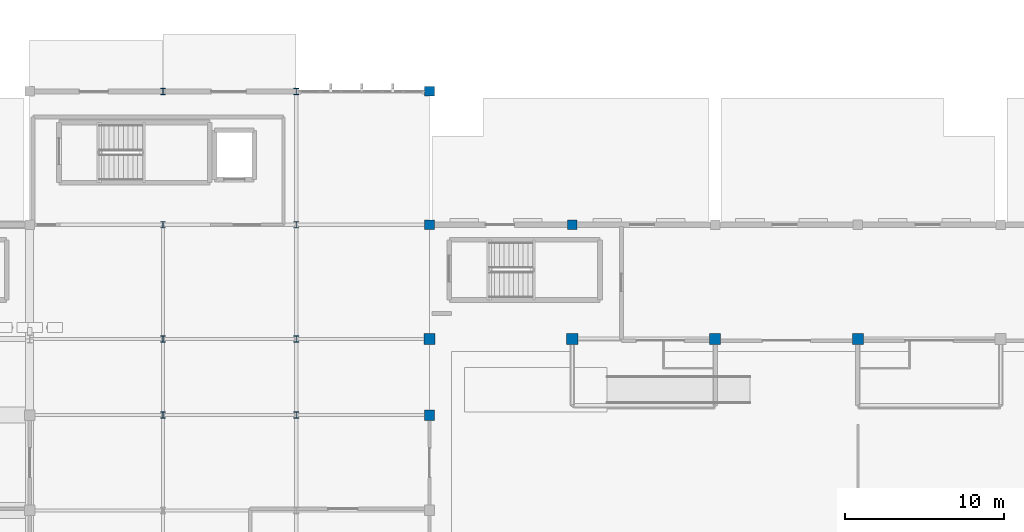
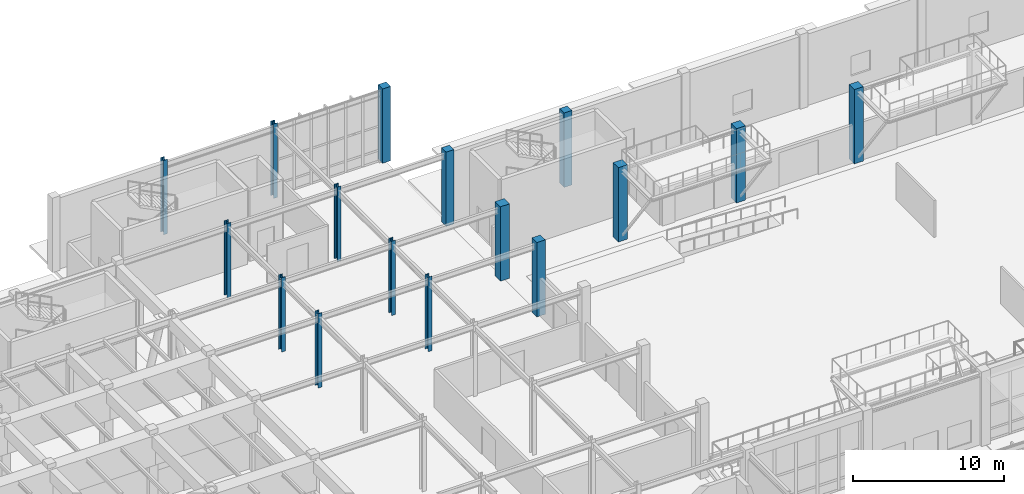
# One storey, part 11 of 110: 16 columns.
"""IFC4 building model written with IfcOpenShell, lengths in metres."""

from ifc_helpers import new_model, si_unit, direction, frame, origin, origin_2d, place, context, subcontext, project, spatial, rectangle, i_section, extrude, material, material_profile, profile_set, type_object, element, save


model = new_model("IFC4")

# Units and contexts
model_context = context("Model", 3, precision=1e-05, world=origin(), true_north=direction((0.0, 1.0)))
body_context = subcontext(model_context, "Body", "Model", "MODEL_VIEW")
ifc_project = project(units=[si_unit("LENGTHUNIT", "METRE"), si_unit("AREAUNIT", "SQUARE_METRE"), si_unit("VOLUMEUNIT", "CUBIC_METRE"), si_unit("PLANEANGLEUNIT", "RADIAN"), si_unit("MASSUNIT", "GRAM", prefix="KILO")], contexts=[model_context])

# Site, building, storey
site_placement = place(None, origin())
site = spatial("IfcSite", under=ifc_project, at=site_placement, CompositionType="ELEMENT")
building_placement = place(site_placement, origin())
building = spatial("IfcBuilding", under=site, at=building_placement, Name="Tizgana Railside Sports Hall", CompositionType="ELEMENT")
storey_placement = place(building_placement, origin())
storey = spatial("IfcBuildingStorey", under=building, at=storey_placement, Name="L00", CompositionType="ELEMENT", Elevation=0.0)

# Columns
ifc_material_1 = material(Name="Concrete C40/50", Category="concrete")
ifc_material_profile_1 = material_profile(ifc_material_1, rectangle(XDim=0.60009765625, YDim=0.60009765625, at=origin_2d()), Name="RC 600x600")
ifc_profile_set_1 = profile_set([ifc_material_profile_1], Name="Concrete C40/50")
column_type_1 = type_object("IfcColumnType", Name="Concrete Column RC 600x600", PredefinedType="COLUMN", material=ifc_profile_set_1)
for number, where, z_axis, x_axis, name in (
    (1, (79.800048828125, 88.800048828125, 0.0), (0.0, 0.0, 1.0), (1.0, 0.0, 0.0), "L00 COL-0248"),
    (2, (79.800048828125, 80.39990234375, 0.0), (0.0, 0.0, 1.0), (1.0, 0.0, 0.0), "L00 COL-0275"),
    (3, (88.800048828125, 80.39990234375, 0.0), (0.0, 0.0, 1.0), (1.0, 0.0, 0.0), "L00 COL-0296"),
):
    element("IfcColumn", number, at=place(storey_placement, frame(where, z_axis=z_axis, x_axis=x_axis)), inside=storey, type_object=column_type_1, Name=name, PredefinedType="COLUMN", context=body_context, shape_type="SweptSolid", body=[
        extrude(rectangle(XDim=0.60009765625, YDim=0.60009765625, at=origin_2d()), origin(), (0.0, 0.0, 1.0), 6.0),
    ])
ifc_material_profile_2 = material_profile(ifc_material_1, rectangle(XDim=0.64990234375, YDim=0.64990234375, at=origin_2d()), Name="RC 650x650")
ifc_profile_set_2 = profile_set([ifc_material_profile_2], Name="Concrete C40/50")
column_type_2 = type_object("IfcColumnType", Name="Concrete Column RC 650x650", PredefinedType="COLUMN", material=ifc_profile_set_2)
column_placement = place(storey_placement, frame((79.800048828125, 68.39990234375, 0.0), z_axis=(0.0, 0.0, 1.0), x_axis=(1.0, 0.0, 0.0)))
element("IfcColumn", 4, at=column_placement, inside=storey, type_object=column_type_2, Name="L00 COL-0266", PredefinedType="COLUMN", context=body_context, shape_type="SweptSolid", body=[
    extrude(rectangle(XDim=0.64990234375, YDim=0.64990234375, at=origin_2d()), origin(), (0.0, 0.0, 1.0), 6.0),
])
ifc_material_profile_3 = material_profile(ifc_material_1, rectangle(XDim=0.699951171875, YDim=0.699951171875, at=origin_2d()), Name="RC 700x700")
ifc_profile_set_3 = profile_set([ifc_material_profile_3], Name="Concrete C40/50")
column_type_3 = type_object("IfcColumnType", Name="Concrete Column RC 700x700", PredefinedType="COLUMN", material=ifc_profile_set_3)
for number, where, z_axis, x_axis, name in (
    (5, (79.800048828125, 73.199951171875, 0.0), (0.0, 0.0, 1.0), (1.0, 0.0, 0.0), "L00 COL-0269"),
    (6, (88.800048828125, 73.199951171875, 0.0), (0.0, 0.0, 1.0), (1.0, 0.0, 0.0), "L00 COL-0290"),
    (7, (97.800048828125, 73.199951171875, 0.0), (0.0, 0.0, 1.0), (1.0, 0.0, 0.0), "L00 COL-0311"),
    (8, (106.800048828125, 73.199951171875, 0.0), (0.0, 0.0, 1.0), (1.0, 0.0, 0.0), "L00 COL-0336"),
):
    element("IfcColumn", number, at=place(storey_placement, frame(where, z_axis=z_axis, x_axis=x_axis)), inside=storey, type_object=column_type_3, Name=name, PredefinedType="COLUMN", context=body_context, shape_type="SweptSolid", body=[
        extrude(rectangle(XDim=0.699951171875, YDim=0.699951171875, at=origin_2d()), origin(), (0.0, 0.0, 1.0), 6.0),
    ])
ifc_material_2 = material(Name="Steel S355J2", Category="steel")
ifc_material_profile_4 = material_profile(ifc_material_2, i_section(OverallWidth=0.300048828125, OverallDepth=0.39990234375, WebThickness=0.013427734375, FlangeThickness=0.02392578125, FilletRadius=0.027099609375, at=origin_2d()), Name="HEB 400")
ifc_profile_set_4 = profile_set([ifc_material_profile_4], Name="Steel S355J2")
column_type_4 = type_object("IfcColumnType", Name="Steel Column HEB 400", PredefinedType="COLUMN", material=ifc_profile_set_4)
for number, where, z_axis, x_axis, name in (
    (9, (63.0, 68.39990234375, 0.0), (0.0, 0.0, 1.0), (1.0, 0.0, 0.0), "L00 COL-0206"),
    (10, (63.0, 73.199951171875, 0.0), (0.0, 0.0, 1.0), (1.0, 0.0, 0.0), "L00 COL-0209"),
    (11, (63.0, 80.39990234375, 0.0), (0.0, 0.0, 1.0), (1.0, 0.0, 0.0), "L00 COL-0212"),
    (12, (63.0, 88.800048828125, 0.0), (0.0, 0.0, 1.0), (1.0, 0.0, 0.0), "L00 COL-0215"),
    (13, (71.39990234375, 68.39990234375, 0.0), (0.0, 0.0, 1.0), (1.0, 0.0, 0.0), "L00 COL-0233"),
    (14, (71.39990234375, 73.199951171875, 0.0), (0.0, 0.0, 1.0), (1.0, 0.0, 0.0), "L00 COL-0236"),
    (15, (71.39990234375, 80.39990234375, 0.0), (0.0, 0.0, 1.0), (1.0, 0.0, 0.0), "L00 COL-0239"),
    (16, (71.39990234375, 88.800048828125, 0.0), (0.0, 0.0, 1.0), (1.0, 0.0, 0.0), "L00 COL-0242"),
):
    element("IfcColumn", number, at=place(storey_placement, frame(where, z_axis=z_axis, x_axis=x_axis)), inside=storey, type_object=column_type_4, Name=name, PredefinedType="COLUMN", context=body_context, shape_type="SweptSolid", body=[
        extrude(i_section(OverallWidth=0.300048828125, OverallDepth=0.39990234375, WebThickness=0.013427734375, FlangeThickness=0.02392578125, FilletRadius=0.027099609375, at=origin_2d()), origin(), (0.0, 0.0, 1.0), 6.0),
    ])

save(model, "model.ifc")
